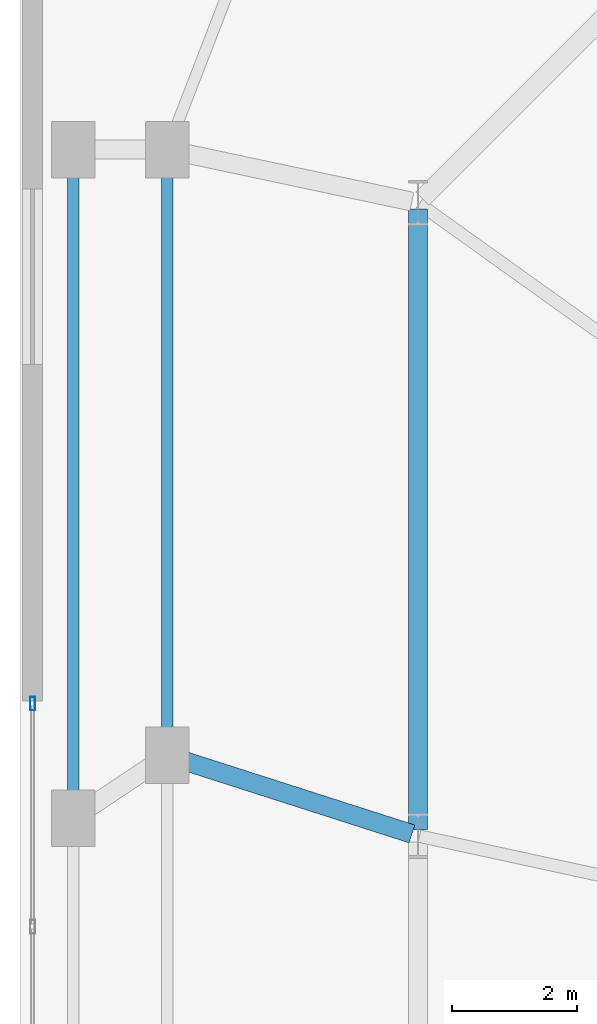
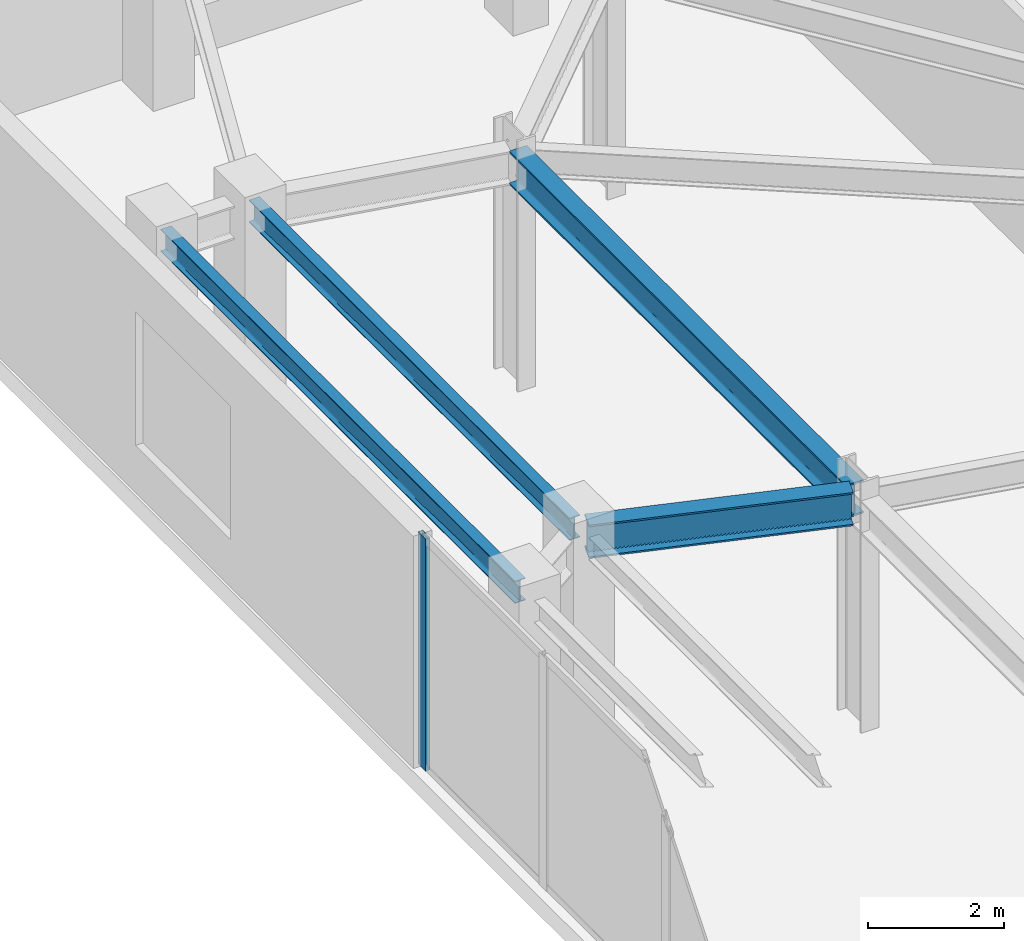
# One storey, part 9 of 21: 4 beams, 1 member, 1 element without a shape of its own.
"""IFC4 building model written with IfcOpenShell, lengths in metres."""

from ifc_helpers import new_model, si_unit, direction, frame, origin, origin_2d, place, context, subcontext, project, spatial, hollow_rectangle, i_section, extrude, material, layer, layer_set, material_profile, profile_set, type_object, element, aggregate, save


model = new_model("IFC4")

# Units and contexts
model_context = context("Model", 3, precision=1e-05, world=origin(), true_north=direction((0.0, 1.0)))
body_context = subcontext(model_context, "Body", "Model", "MODEL_VIEW")
ifc_project = project(units=[si_unit("LENGTHUNIT", "METRE"), si_unit("AREAUNIT", "SQUARE_METRE"), si_unit("VOLUMEUNIT", "CUBIC_METRE"), si_unit("PLANEANGLEUNIT", "RADIAN"), si_unit("MASSUNIT", "GRAM", prefix="KILO")], contexts=[model_context])

# Site, building, storey
site_placement = place(None, origin())
site = spatial("IfcSite", under=ifc_project, at=site_placement, CompositionType="ELEMENT")
building_placement = place(site_placement, origin())
building = spatial("IfcBuilding", under=site, at=building_placement, Name="Qobustan Lattice House", CompositionType="ELEMENT")
storey_placement = place(building_placement, frame((0.0, 0.0, 4.5)))
storey = spatial("IfcBuildingStorey", under=building, at=storey_placement, Name="L01", CompositionType="ELEMENT", Elevation=4.5)

# Beams
ifc_material_1 = material(Name="Steel S355", Category="steel")
ifc_material_profile_1 = material_profile(ifc_material_1, i_section(OverallWidth=0.300048828125, OverallDepth=0.60009765625, WebThickness=0.015380859375, FlangeThickness=0.030029296875, FilletRadius=0.027099609375, at=origin_2d()), Name="HEB600")
ifc_profile_set_1 = profile_set([ifc_material_profile_1], Name="Steel S355")
beam_type_1 = type_object("IfcBeamType", Name="BM-POD-HEB600", PredefinedType="USERDEFINED", material=ifc_profile_set_1)
beam_1_placement = place(storey_placement, frame((-32.14990234375, 15.050048828125, 3.8701171875), z_axis=(0.0, -1.0, 0.0), x_axis=(1.0, 0.0, 0.0)))
element("IfcBeam", 1, at=beam_1_placement, inside=storey, type_object=beam_type_1, Name="L01 tower base ring girder W1-W2", ObjectType="GIRDER", PredefinedType="USERDEFINED", context=body_context, shape_type="SweptSolid", body=[
    extrude(i_section(OverallWidth=0.300048828125, OverallDepth=0.60009765625, WebThickness=0.015380859375, FlangeThickness=0.030029296875, FilletRadius=0.027099609375, at=origin_2d()), origin(), (0.0, 0.0, 1.0), 9.900146484375),
])
beam_2_placement = place(storey_placement, frame((-36.03564453125, 6.296630859375, 3.8701171875), z_axis=(0.952198151545, -0.305481063561, 0.0), x_axis=(0.305481063561, 0.952198151545, 0.0)))
element("IfcBeam", 2, at=beam_2_placement, inside=storey, type_object=beam_type_1, Name="L01 podium radial girder PW3", ObjectType="GIRDER", PredefinedType="USERDEFINED", context=body_context, shape_type="SweptSolid", body=[
    extrude(i_section(OverallWidth=0.300048828125, OverallDepth=0.60009765625, WebThickness=0.015380859375, FlangeThickness=0.030029296875, FilletRadius=0.027099609375, at=origin_2d()), origin(), (0.0, 0.0, 1.0), 3.980712890625),
])
ifc_material_2 = material(Name="Steel S355", Category="steel")
ifc_material_profile_2 = material_profile(ifc_material_2, i_section(OverallWidth=0.179931640625, OverallDepth=0.39990234375, WebThickness=0.008544921875, FlangeThickness=0.013427734375, FilletRadius=0.02099609375, at=origin_2d()), Name="IPE400")
ifc_profile_set_2 = profile_set([ifc_material_profile_2], Name="Steel S355")
beam_type_2 = type_object("IfcBeamType", Name="BM-SPD-IPE400", PredefinedType="SPANDREL", material=ifc_profile_set_2)
beam_3_placement = place(storey_placement, frame((-36.14990234375, 6.453369140625, 3.969970703125), z_axis=(0.0, 1.0, 0.0), x_axis=(-1.0, 0.0, 0.0)))
element("IfcBeam", 3, at=beam_3_placement, inside=storey, type_object=beam_type_2, Name="L01 podium spandrel PW3-PW4", PredefinedType="SPANDREL", context=body_context, shape_type="SweptSolid", body=[
    extrude(i_section(OverallWidth=0.179931640625, OverallDepth=0.39990234375, WebThickness=0.008544921875, FlangeThickness=0.013427734375, FilletRadius=0.02099609375, at=origin_2d()), origin(), (0.0, 0.0, 1.0), 9.4267578125),
])
beam_4_placement = place(storey_placement, frame((-37.64990234375, 5.453369140625, 3.969970703125), z_axis=(0.0, 1.0, 0.0), x_axis=(-1.0, 0.0, 0.0)))
element("IfcBeam", 4, at=beam_4_placement, inside=storey, type_object=beam_type_2, Name="L01 lower podium spandrel PWL3-PWL4", PredefinedType="SPANDREL", context=body_context, shape_type="SweptSolid", body=[
    extrude(i_section(OverallWidth=0.179931640625, OverallDepth=0.39990234375, WebThickness=0.008544921875, FlangeThickness=0.013427734375, FilletRadius=0.02099609375, at=origin_2d()), origin(), (0.0, 0.0, 1.0), 10.4267578125),
])

# Curtain wall, member
ifc_material_3 = material(Name="Anodised aluminium and low-E glazing", Category="aluminium")
ifc_layer = layer(ifc_material_3, 0.219970703125)
ifc_layer_set = layer_set([ifc_layer], Name="Anodised aluminium and low-E glazing")
curtain_wall_type = type_object("IfcCurtainWallType", Name="CW-POD-01", PredefinedType="USERDEFINED", material=ifc_layer_set)
curtain_wall_placement = place(storey_placement, origin())
curtain_wall = element("IfcCurtainWall", 5, at=curtain_wall_placement, inside=storey, type_object=curtain_wall_type, Name="L01 W podium colonnade curtain wall", ObjectType="CURTAIN WALL", PredefinedType="USERDEFINED")
ifc_material_4 = material(Name="Anodised aluminium EN AW-6063 T6", Category="aluminium")
ifc_material_profile_3 = material_profile(ifc_material_4, hollow_rectangle(XDim=0.080078125, YDim=0.219970703125, WallThickness=0.0048828125, at=origin_2d()), Name="CWM-220x80")
ifc_profile_set_3 = profile_set([ifc_material_profile_3], Name="Anodised aluminium EN AW-6063 T6")
member_type = type_object("IfcMemberType", Name="CWM-MAIN-220", PredefinedType="MULLION", material=ifc_profile_set_3)
member_placement = place(storey_placement, frame((-38.300048828125, 7.159912109375, 0.0), z_axis=(0.0, 0.0, 1.0), x_axis=(-1.0, 0.0, 0.0)))
member = element("IfcMember", 6, at=member_placement, type_object=member_type, Name="CW-P1 mullion 5", PredefinedType="MULLION", context=body_context, shape_type="SweptSolid", body=[
    extrude(hollow_rectangle(XDim=0.080078125, YDim=0.219970703125, WallThickness=0.0048828125, at=origin_2d()), origin(), (0.0, 0.0, 1.0), 4.169921875),
])
aggregate(curtain_wall, [member])

save(model, "model.ifc")
